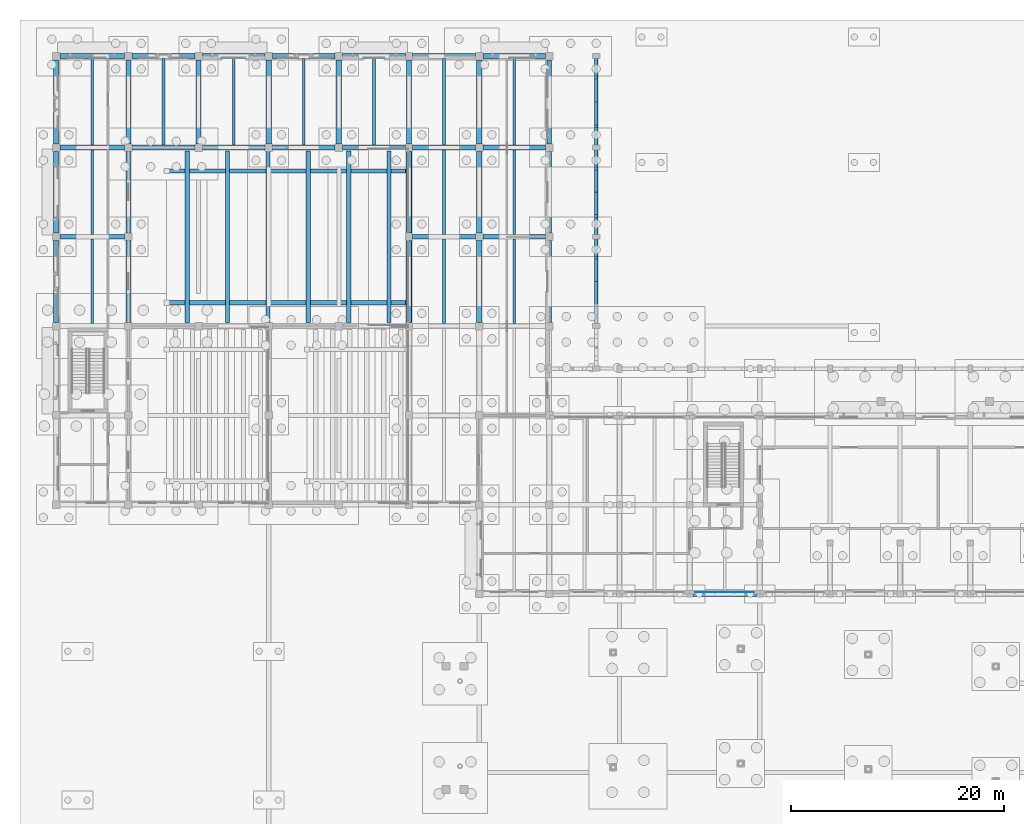
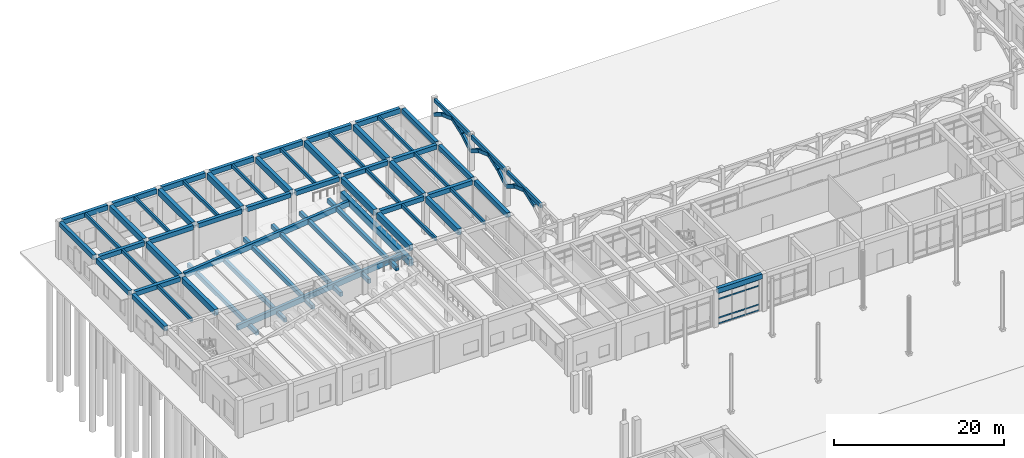
# One storey, part 28 of 82: 61 beams, 15 members, 1 element without a shape of its own.
"""IFC4 building model written with IfcOpenShell, lengths in metres."""

from ifc_helpers import new_model, si_unit, direction, frame, origin, origin_2d, place, context, subcontext, project, spatial, rectangle, extrude, material, layer, layer_set, material_profile, profile_set, type_object, element, aggregate, save


model = new_model("IFC4")

# Units and contexts
model_context = context("Model", 3, precision=1e-05, world=origin(), true_north=direction((0.0, 1.0)))
body_context = subcontext(model_context, "Body", "Model", "MODEL_VIEW")
ifc_project = project(units=[si_unit("LENGTHUNIT", "METRE"), si_unit("AREAUNIT", "SQUARE_METRE"), si_unit("VOLUMEUNIT", "CUBIC_METRE"), si_unit("PLANEANGLEUNIT", "RADIAN"), si_unit("MASSUNIT", "GRAM", prefix="KILO")], contexts=[model_context])

# Site, building, storey
site_placement = place(None, origin())
site = spatial("IfcSite", under=ifc_project, at=site_placement, CompositionType="ELEMENT")
building_placement = place(site_placement, origin())
building = spatial("IfcBuilding", under=site, at=building_placement, Name="Kolvaren Faculty of Natural Sciences", CompositionType="ELEMENT")
storey_placement = place(building_placement, origin())
storey = spatial("IfcBuildingStorey", under=building, at=storey_placement, Name="L00", CompositionType="ELEMENT", Elevation=0.0)

# Curtain wall, members
ifc_material_1 = material(Name="Thermally broken anodised aluminium framing", Category="aluminium")
ifc_layer = layer(ifc_material_1, 0.179931640625)
ifc_layer_set = layer_set([ifc_layer], Name="Thermally broken anodised aluminium framing")
curtain_wall_type = type_object("IfcCurtainWallType", Name="AtriumCurtainWall_CW01", PredefinedType="NOTDEFINED", material=ifc_layer_set)
curtain_wall_placement = place(storey_placement, origin())
curtain_wall = element("IfcCurtainWall", 1, at=curtain_wall_placement, inside=storey, type_object=curtain_wall_type, Name="L00 unitised curtain wall CW-01 (CW-L00-005)", PredefinedType="NOTDEFINED")
ifc_material_profile_1 = material_profile(ifc_material_1, rectangle(XDim=0.06005859375, YDim=0.139892578125, at=origin_2d()), Name="ALU TRN 60x140")
ifc_profile_set_1 = profile_set([ifc_material_profile_1], Name="Thermally broken anodised aluminium framing")
member_type_1 = type_object("IfcMemberType", Name="CurtainTransom_60x140", PredefinedType="USERDEFINED", material=ifc_profile_set_1)
member_1_placement = place(storey_placement, frame((65.64990234375, 67.570068359375, 0.080078125), z_axis=(-1.0, 0.0, 0.0), x_axis=(0.0, -1.0, 0.0)))
member_1 = element("IfcMember", 2, at=member_1_placement, type_object=member_type_1, Name="CW-L00-005 horizontal transom 1", ObjectType="TRANSOM", PredefinedType="USERDEFINED", context=body_context, shape_type="SweptSolid", body=[
    extrude(rectangle(XDim=0.06005859375, YDim=0.139892578125, at=origin_2d()), origin(), (0.0, 0.0, 1.0), 5.5),
])
member_2_placement = place(storey_placement, frame((65.64990234375, 67.570068359375, 0.89990234375), z_axis=(-1.0, 0.0, 0.0), x_axis=(0.0, -1.0, 0.0)))
member_2 = element("IfcMember", 3, at=member_2_placement, type_object=member_type_1, Name="CW-L00-005 horizontal transom 2", ObjectType="TRANSOM", PredefinedType="USERDEFINED", context=body_context, shape_type="SweptSolid", body=[
    extrude(rectangle(XDim=0.06005859375, YDim=0.139892578125, at=origin_2d()), origin(), (0.0, 0.0, 1.0), 5.5),
])
member_3_placement = place(storey_placement, frame((65.64990234375, 67.570068359375, 3.5849609375), z_axis=(-1.0, 0.0, 0.0), x_axis=(0.0, -1.0, 0.0)))
member_3 = element("IfcMember", 4, at=member_3_placement, type_object=member_type_1, Name="CW-L00-005 horizontal transom 3", ObjectType="TRANSOM", PredefinedType="USERDEFINED", context=body_context, shape_type="SweptSolid", body=[
    extrude(rectangle(XDim=0.06005859375, YDim=0.139892578125, at=origin_2d()), origin(), (0.0, 0.0, 1.0), 5.5),
])
member_4_placement = place(storey_placement, frame((65.64990234375, 67.570068359375, 4.455078125), z_axis=(-1.0, 0.0, 0.0), x_axis=(0.0, -1.0, 0.0)))
member_4 = element("IfcMember", 5, at=member_4_placement, type_object=member_type_1, Name="CW-L00-005 horizontal transom 4", ObjectType="TRANSOM", PredefinedType="USERDEFINED", context=body_context, shape_type="SweptSolid", body=[
    extrude(rectangle(XDim=0.06005859375, YDim=0.139892578125, at=origin_2d()), origin(), (0.0, 0.0, 1.0), 5.5),
])
aggregate(curtain_wall, [member_1, member_2, member_3, member_4])

# Beams
ifc_material_2 = material(Name="Concrete C35/45", Category="concrete")
ifc_material_profile_2 = material_profile(ifc_material_2, rectangle(XDim=0.39990234375, YDim=0.60009765625, at=origin_2d()), Name="RC BM 400x600")
ifc_profile_set_2 = profile_set([ifc_material_profile_2], Name="Concrete C35/45")
beam_type_1 = type_object("IfcBeamType", Name="GridBeam_400x600", PredefinedType="BEAM", material=ifc_profile_set_2)
for number, where, z_axis, x_axis, name in (
    (6, (12.324951171875, 92.919921875, 0.090087890625), (0.0, 1.0, 0.0), (-1.0, 0.0, 0.0), "Lecture theatre LT-1 tier 1 transverse support beam"),
    (7, (16.125, 92.919921875, 0.60009765625), (0.0, 1.0, 0.0), (-1.0, 0.0, 0.0), "Lecture theatre LT-1 tier 2 transverse support beam"),
    (8, (19.925048828125, 92.919921875, 1.1298828125), (0.0, 1.0, 0.0), (-1.0, 0.0, 0.0), "Lecture theatre LT-1 tier 3 transverse support beam"),
    (9, (23.72509765625, 92.919921875, 1.639892578125), (0.0, 1.0, 0.0), (-1.0, 0.0, 0.0), "Lecture theatre LT-1 tier 4 transverse support beam"),
    (10, (27.52490234375, 92.919921875, 2.169921875), (0.0, 1.0, 0.0), (-1.0, 0.0, 0.0), "Lecture theatre LT-1 tier 5 transverse support beam"),
    (11, (31.324951171875, 92.919921875, 2.679931640625), (0.0, 1.0, 0.0), (-1.0, 0.0, 0.0), "Lecture theatre LT-1 tier 6 transverse support beam"),
):
    element("IfcBeam", number, at=place(storey_placement, frame(where, z_axis=z_axis, x_axis=x_axis)), inside=storey, type_object=beam_type_1, Name=name, PredefinedType="BEAM", context=body_context, shape_type="SweptSolid", body=[
        extrude(rectangle(XDim=0.39990234375, YDim=0.60009765625, at=origin_2d()), origin(), (0.0, 0.0, 1.0), 16.16015625),
    ])
ifc_material_profile_3 = material_profile(ifc_material_2, rectangle(XDim=0.449951171875, YDim=0.64990234375, at=origin_2d()), Name="RC BM 450x650")
ifc_profile_set_3 = profile_set([ifc_material_profile_3], Name="Concrete C35/45")
beam_type_2 = type_object("IfcBeamType", Name="GridBeam_450x650", PredefinedType="BEAM", material=ifc_profile_set_3)
beam_1_placement = place(storey_placement, frame((0.35009765625, 101.0, 5.074951171875), z_axis=(1.0, 0.0, 0.0), x_axis=(0.0, 1.0, 0.0)))
element("IfcBeam", 12, at=beam_1_placement, inside=storey, type_object=beam_type_2, Name="L00 beam BM-65 on grid N", PredefinedType="BEAM", context=body_context, shape_type="SweptSolid", body=[
    extrude(rectangle(XDim=0.449951171875, YDim=0.64990234375, at=origin_2d()), origin(), (0.0, 0.0, 1.0), 6.099853515625),
])
beam_2_placement = place(storey_placement, frame((33.550048828125, 101.0, 5.074951171875), z_axis=(1.0, 0.0, 0.0), x_axis=(0.0, 1.0, 0.0)))
element("IfcBeam", 13, at=beam_2_placement, inside=storey, type_object=beam_type_2, Name="L00 beam BM-65 on grid N", PredefinedType="BEAM", context=body_context, shape_type="SweptSolid", body=[
    extrude(rectangle(XDim=0.449951171875, YDim=0.64990234375, at=origin_2d()), origin(), (0.0, 0.0, 1.0), 5.89990234375),
])
beam_3_placement = place(storey_placement, frame((40.14990234375, 101.0, 5.074951171875), z_axis=(1.0, 0.0, 0.0), x_axis=(0.0, 1.0, 0.0)))
element("IfcBeam", 14, at=beam_3_placement, inside=storey, type_object=beam_type_2, Name="L00 beam BM-65 on grid N", PredefinedType="BEAM", context=body_context, shape_type="SweptSolid", body=[
    extrude(rectangle(XDim=0.449951171875, YDim=0.64990234375, at=origin_2d()), origin(), (0.0, 0.0, 1.0), 5.900146484375),
])
beam_4_placement = place(storey_placement, frame((0.35009765625, 109.39990234375, 5.074951171875), z_axis=(1.0, 0.0, 0.0), x_axis=(0.0, 1.0, 0.0)))
element("IfcBeam", 15, at=beam_4_placement, inside=storey, type_object=beam_type_2, Name="L00 beam BM-65 on grid P", PredefinedType="BEAM", context=body_context, shape_type="SweptSolid", body=[
    extrude(rectangle(XDim=0.449951171875, YDim=0.64990234375, at=origin_2d()), origin(), (0.0, 0.0, 1.0), 6.099853515625),
])
beam_5_placement = place(storey_placement, frame((7.14990234375, 109.39990234375, 5.074951171875), z_axis=(1.0, 0.0, 0.0), x_axis=(0.0, 1.0, 0.0)))
element("IfcBeam", 16, at=beam_5_placement, inside=storey, type_object=beam_type_2, Name="L00 beam BM-65 on grid P", PredefinedType="BEAM", context=body_context, shape_type="SweptSolid", body=[
    extrude(rectangle(XDim=0.449951171875, YDim=0.64990234375, at=origin_2d()), origin(), (0.0, 0.0, 1.0), 5.900146484375),
])
for number, where, z_axis, x_axis, name in (
    (17, (13.75, 109.39990234375, 5.074951171875), (1.0, 0.0, 0.0), (0.0, 1.0, 0.0), "L00 beam BM-65 on grid P"),
    (18, (20.35009765625, 109.39990234375, 5.074951171875), (1.0, 0.0, 0.0), (0.0, 1.0, 0.0), "L00 beam BM-65 on grid P"),
):
    element("IfcBeam", number, at=place(storey_placement, frame(where, z_axis=z_axis, x_axis=x_axis)), inside=storey, type_object=beam_type_2, Name=name, PredefinedType="BEAM", context=body_context, shape_type="SweptSolid", body=[
        extrude(rectangle(XDim=0.449951171875, YDim=0.64990234375, at=origin_2d()), origin(), (0.0, 0.0, 1.0), 5.89990234375),
    ])
beam_6_placement = place(storey_placement, frame((26.949951171875, 109.39990234375, 5.074951171875), z_axis=(1.0, 0.0, 0.0), x_axis=(0.0, 1.0, 0.0)))
element("IfcBeam", 19, at=beam_6_placement, inside=storey, type_object=beam_type_2, Name="L00 beam BM-65 on grid P", PredefinedType="BEAM", context=body_context, shape_type="SweptSolid", body=[
    extrude(rectangle(XDim=0.449951171875, YDim=0.64990234375, at=origin_2d()), origin(), (0.0, 0.0, 1.0), 5.900146484375),
])
beam_7_placement = place(storey_placement, frame((33.550048828125, 109.39990234375, 5.074951171875), z_axis=(1.0, 0.0, 0.0), x_axis=(0.0, 1.0, 0.0)))
element("IfcBeam", 20, at=beam_7_placement, inside=storey, type_object=beam_type_2, Name="L00 beam BM-65 on grid P", PredefinedType="BEAM", context=body_context, shape_type="SweptSolid", body=[
    extrude(rectangle(XDim=0.449951171875, YDim=0.64990234375, at=origin_2d()), origin(), (0.0, 0.0, 1.0), 5.89990234375),
])
beam_8_placement = place(storey_placement, frame((40.14990234375, 109.39990234375, 5.074951171875), z_axis=(1.0, 0.0, 0.0), x_axis=(0.0, 1.0, 0.0)))
element("IfcBeam", 21, at=beam_8_placement, inside=storey, type_object=beam_type_2, Name="L00 beam BM-65 on grid P", PredefinedType="BEAM", context=body_context, shape_type="SweptSolid", body=[
    extrude(rectangle(XDim=0.449951171875, YDim=0.64990234375, at=origin_2d()), origin(), (0.0, 0.0, 1.0), 5.900146484375),
])
ifc_material_3 = material(Name="Concrete C40/50", Category="concrete")
ifc_material_profile_4 = material_profile(ifc_material_3, rectangle(XDim=0.550048828125, YDim=0.949951171875, at=origin_2d()), Name="RC BM 550x950")
ifc_profile_set_4 = profile_set([ifc_material_profile_4], Name="Concrete C40/50")
beam_type_3 = type_object("IfcBeamType", Name="HallGirder_550x950", PredefinedType="BEAM", material=ifc_profile_set_4)
beam_9_placement = place(storey_placement, frame((33.199951171875, 92.919921875, 2.8701171875), z_axis=(0.0, 1.0, 0.0), x_axis=(-1.0, 0.0, 0.0)))
element("IfcBeam", 22, at=beam_9_placement, inside=storey, type_object=beam_type_3, Name="Lecture theatre LT-1 raker header girder", PredefinedType="BEAM", context=body_context, shape_type="SweptSolid", body=[
    extrude(rectangle(XDim=0.550048828125, YDim=0.949951171875, at=origin_2d()), origin(), (0.0, 0.0, 1.0), 16.16015625),
])
ifc_material_profile_5 = material_profile(ifc_material_2, rectangle(XDim=0.260009765625, YDim=0.5, at=origin_2d()), Name="RC JST 260x500")
ifc_profile_set_5 = profile_set([ifc_material_profile_5], Name="Concrete C35/45")
beam_type_4 = type_object("IfcBeamType", Name="LabRibJoist_260x500", PredefinedType="JOIST", material=ifc_profile_set_5)
for number, where, z_axis, x_axis, name in (
    (23, (3.39990234375, 92.824951171875, 5.14990234375), (0.0, 1.0, 0.0), (-1.0, 0.0, 0.0), "L00 ribbed laboratory slab joist JS-50"),
    (24, (3.39990234375, 101.22509765625, 5.14990234375), (0.0, 1.0, 0.0), (-1.0, 0.0, 0.0), "L00 ribbed laboratory slab joist JS-50"),
):
    element("IfcBeam", number, at=place(storey_placement, frame(where, z_axis=z_axis, x_axis=x_axis)), inside=storey, type_object=beam_type_4, Name=name, PredefinedType="JOIST", context=body_context, shape_type="SweptSolid", body=[
        extrude(rectangle(XDim=0.260009765625, YDim=0.5, at=origin_2d()), origin(), (0.0, 0.0, 1.0), 7.949951171875),
    ])
for number, where, z_axis, x_axis, name in (
    (25, (3.39990234375, 109.625, 5.14990234375), (0.0, 1.0, 0.0), (-1.0, 0.0, 0.0), "L00 ribbed laboratory slab joist JS-50"),
    (26, (10.10009765625, 109.625, 5.14990234375), (0.0, 1.0, 0.0), (-1.0, 0.0, 0.0), "L00 ribbed laboratory slab joist JS-50"),
    (27, (16.699951171875, 109.625, 5.14990234375), (0.0, 1.0, 0.0), (-1.0, 0.0, 0.0), "L00 ribbed laboratory slab joist JS-50"),
    (28, (23.300048828125, 109.625, 5.14990234375), (0.0, 1.0, 0.0), (-1.0, 0.0, 0.0), "L00 ribbed laboratory slab joist JS-50"),
    (29, (29.89990234375, 109.625, 5.14990234375), (0.0, 1.0, 0.0), (-1.0, 0.0, 0.0), "L00 ribbed laboratory slab joist JS-50"),
):
    element("IfcBeam", number, at=place(storey_placement, frame(where, z_axis=z_axis, x_axis=x_axis)), inside=storey, type_object=beam_type_4, Name=name, PredefinedType="JOIST", context=body_context, shape_type="SweptSolid", body=[
        extrude(rectangle(XDim=0.260009765625, YDim=0.5, at=origin_2d()), origin(), (0.0, 0.0, 1.0), 8.14990234375),
    ])
for number, where, z_axis, x_axis, name in (
    (30, (36.5, 92.824951171875, 5.14990234375), (0.0, 1.0, 0.0), (-1.0, 0.0, 0.0), "L00 ribbed laboratory slab joist JS-50"),
    (31, (36.5, 101.22509765625, 5.14990234375), (0.0, 1.0, 0.0), (-1.0, 0.0, 0.0), "L00 ribbed laboratory slab joist JS-50"),
):
    element("IfcBeam", number, at=place(storey_placement, frame(where, z_axis=z_axis, x_axis=x_axis)), inside=storey, type_object=beam_type_4, Name=name, PredefinedType="JOIST", context=body_context, shape_type="SweptSolid", body=[
        extrude(rectangle(XDim=0.260009765625, YDim=0.5, at=origin_2d()), origin(), (0.0, 0.0, 1.0), 7.949951171875),
    ])
beam_10_placement = place(storey_placement, frame((36.5, 109.625, 5.14990234375), z_axis=(0.0, 1.0, 0.0), x_axis=(-1.0, 0.0, 0.0)))
element("IfcBeam", 32, at=beam_10_placement, inside=storey, type_object=beam_type_4, Name="L00 ribbed laboratory slab joist JS-50", PredefinedType="JOIST", context=body_context, shape_type="SweptSolid", body=[
    extrude(rectangle(XDim=0.260009765625, YDim=0.5, at=origin_2d()), origin(), (0.0, 0.0, 1.0), 8.14990234375),
])
for number, where, z_axis, x_axis, name in (
    (33, (43.10009765625, 92.824951171875, 5.14990234375), (0.0, 1.0, 0.0), (-1.0, 0.0, 0.0), "L00 ribbed laboratory slab joist JS-50"),
    (34, (43.10009765625, 101.22509765625, 5.14990234375), (0.0, 1.0, 0.0), (-1.0, 0.0, 0.0), "L00 ribbed laboratory slab joist JS-50"),
):
    element("IfcBeam", number, at=place(storey_placement, frame(where, z_axis=z_axis, x_axis=x_axis)), inside=storey, type_object=beam_type_4, Name=name, PredefinedType="JOIST", context=body_context, shape_type="SweptSolid", body=[
        extrude(rectangle(XDim=0.260009765625, YDim=0.5, at=origin_2d()), origin(), (0.0, 0.0, 1.0), 7.949951171875),
    ])
beam_11_placement = place(storey_placement, frame((43.10009765625, 109.625, 5.14990234375), z_axis=(0.0, 1.0, 0.0), x_axis=(-1.0, 0.0, 0.0)))
element("IfcBeam", 35, at=beam_11_placement, inside=storey, type_object=beam_type_4, Name="L00 ribbed laboratory slab joist JS-50", PredefinedType="JOIST", context=body_context, shape_type="SweptSolid", body=[
    extrude(rectangle(XDim=0.260009765625, YDim=0.5, at=origin_2d()), origin(), (0.0, 0.0, 1.0), 8.14990234375),
])
ifc_material_profile_6 = material_profile(ifc_material_2, rectangle(XDim=0.39990234375, YDim=0.75, at=origin_2d()), Name="RC RK 400x750")
ifc_profile_set_6 = profile_set([ifc_material_profile_6], Name="Concrete C35/45")
beam_type_5 = type_object("IfcBeamType", Name="LectureTierRaker_400x750", PredefinedType="BEAM", material=ifc_profile_set_6)
for number, where, z_axis, x_axis, name in (
    (36, (10.64990234375, 94.800048828125, 0.35009765625), (0.993658526668, 0.0, 0.112439905636), (0.0, 1.0, 0.0), "Lecture theatre LT-1 raker beam 1"),
    (37, (10.64990234375, 107.199951171875, 0.35009765625), (0.993658526668, 0.0, 0.112439905636), (0.0, 1.0, 0.0), "Lecture theatre LT-1 raker beam 2"),
):
    element("IfcBeam", number, at=place(storey_placement, frame(where, z_axis=z_axis, x_axis=x_axis)), inside=storey, type_object=beam_type_5, Name=name, PredefinedType="BEAM", context=body_context, shape_type="SweptSolid", body=[
        extrude(rectangle(XDim=0.39990234375, YDim=0.75, at=origin_2d()), origin(), (0.0, 0.0, 1.0), 22.412109375),
    ])

# Members
ifc_material_4 = material(Name="Precast concrete C35/45", Category="concrete")
ifc_material_profile_7 = material_profile(ifc_material_4, rectangle(XDim=0.320068359375, YDim=0.47998046875, at=origin_2d()), Name="RC ARCH 320x480")
ifc_profile_set_7 = profile_set([ifc_material_profile_7], Name="Precast concrete C35/45")
member_type_2 = type_object("IfcMemberType", Name="MughalPointedArchRib_320x480", PredefinedType="CHORD", material=ifc_profile_set_7)
member_5_placement = place(storey_placement, frame((50.800048828125, 94.4287109375, 3.921142578125), z_axis=(0.0, 0.940244616745, 0.340499722), x_axis=(-1.0, 0.0, 0.0)))
element("IfcMember", 38, at=member_5_placement, inside=storey, type_object=member_type_2, Name="Pointed Mughal arch rib ARW-W-92 segment 2", PredefinedType="CHORD", context=body_context, shape_type="SweptSolid", body=[
    extrude(rectangle(XDim=0.320068359375, YDim=0.47998046875, at=origin_2d()), origin(), (0.0, 0.0, 1.0), 2.60205078125),
])
member_6_placement = place(storey_placement, frame((50.800048828125, 96.724853515625, 4.80712890625), z_axis=(0.0, 0.940233736948, -0.340529763611), x_axis=(-1.0, 0.0, 0.0)))
element("IfcMember", 39, at=member_6_placement, inside=storey, type_object=member_type_2, Name="Pointed Mughal arch rib ARW-W-92 segment 3", PredefinedType="CHORD", context=body_context, shape_type="SweptSolid", body=[
    extrude(rectangle(XDim=0.320068359375, YDim=0.47998046875, at=origin_2d()), origin(), (0.0, 0.0, 1.0), 2.601806640625),
])
for number, where, z_axis, x_axis, name in (
    (40, (50.800048828125, 99.028564453125, 3.991455078125), (0.0, 0.843565255236, -0.537026684774), (-1.0, 0.0, 0.0), "Pointed Mughal arch rib ARW-W-92 segment 4"),
    (41, (50.800048828125, 101.032470703125, 2.757080078125), (0.0, 0.843565255236, 0.537026684774), (-1.0, 0.0, 0.0), "Pointed Mughal arch rib ARW-W-101 segment 1"),
):
    element("IfcMember", number, at=place(storey_placement, frame(where, z_axis=z_axis, x_axis=x_axis)), inside=storey, type_object=member_type_2, Name=name, PredefinedType="CHORD", context=body_context, shape_type="SweptSolid", body=[
        extrude(rectangle(XDim=0.320068359375, YDim=0.47998046875, at=origin_2d()), origin(), (0.0, 0.0, 1.0), 2.298583984375),
    ])
member_7_placement = place(storey_placement, frame((50.800048828125, 102.828857421875, 3.921142578125), z_axis=(0.0, 0.940233736948, 0.340529763611), x_axis=(-1.0, 0.0, 0.0)))
element("IfcMember", 42, at=member_7_placement, inside=storey, type_object=member_type_2, Name="Pointed Mughal arch rib ARW-W-101 segment 2", PredefinedType="CHORD", context=body_context, shape_type="SweptSolid", body=[
    extrude(rectangle(XDim=0.320068359375, YDim=0.47998046875, at=origin_2d()), origin(), (0.0, 0.0, 1.0), 2.601806640625),
])
member_8_placement = place(storey_placement, frame((50.800048828125, 105.124755859375, 4.80712890625), z_axis=(0.0, 0.940244616745, -0.340499722), x_axis=(-1.0, 0.0, 0.0)))
element("IfcMember", 43, at=member_8_placement, inside=storey, type_object=member_type_2, Name="Pointed Mughal arch rib ARW-W-101 segment 3", PredefinedType="CHORD", context=body_context, shape_type="SweptSolid", body=[
    extrude(rectangle(XDim=0.320068359375, YDim=0.47998046875, at=origin_2d()), origin(), (0.0, 0.0, 1.0), 2.60205078125),
])
member_9_placement = place(storey_placement, frame((50.800048828125, 107.428466796875, 3.991455078125), z_axis=(0.0, 0.843565255236, -0.537026684774), x_axis=(-1.0, 0.0, 0.0)))
element("IfcMember", 44, at=member_9_placement, inside=storey, type_object=member_type_2, Name="Pointed Mughal arch rib ARW-W-101 segment 4", PredefinedType="CHORD", context=body_context, shape_type="SweptSolid", body=[
    extrude(rectangle(XDim=0.320068359375, YDim=0.47998046875, at=origin_2d()), origin(), (0.0, 0.0, 1.0), 2.298583984375),
])
member_10_placement = place(storey_placement, frame((50.800048828125, 109.43212890625, 2.7578125), z_axis=(0.0, 0.849392974575, 0.527760906797), x_axis=(-1.0, 0.0, 0.0)))
element("IfcMember", 45, at=member_10_placement, inside=storey, type_object=member_type_2, Name="Pointed Mughal arch rib ARW-W-109 segment 1", PredefinedType="CHORD", context=body_context, shape_type="SweptSolid", body=[
    extrude(rectangle(XDim=0.320068359375, YDim=0.47998046875, at=origin_2d()), origin(), (0.0, 0.0, 1.0), 2.335693359375),
])
member_11_placement = place(storey_placement, frame((50.800048828125, 111.272705078125, 3.921630859375), z_axis=(0.0, 0.942788108014, 0.333392536489), x_axis=(-1.0, 0.0, 0.0)))
element("IfcMember", 46, at=member_11_placement, inside=storey, type_object=member_type_2, Name="Pointed Mughal arch rib ARW-W-109 segment 2", PredefinedType="CHORD", context=body_context, shape_type="SweptSolid", body=[
    extrude(rectangle(XDim=0.320068359375, YDim=0.47998046875, at=origin_2d()), origin(), (0.0, 0.0, 1.0), 2.654541015625),
])
member_12_placement = place(storey_placement, frame((50.800048828125, 113.62451171875, 4.806640625), z_axis=(0.0, 0.942798329243, -0.333363630853), x_axis=(-1.0, 0.0, 0.0)))
element("IfcMember", 47, at=member_12_placement, inside=storey, type_object=member_type_2, Name="Pointed Mughal arch rib ARW-W-109 segment 3", PredefinedType="CHORD", context=body_context, shape_type="SweptSolid", body=[
    extrude(rectangle(XDim=0.320068359375, YDim=0.47998046875, at=origin_2d()), origin(), (0.0, 0.0, 1.0), 2.65478515625),
])
member_13_placement = place(storey_placement, frame((50.800048828125, 115.984130859375, 3.990478515625), z_axis=(0.0, 0.849392974575, -0.527760906797), x_axis=(-1.0, 0.0, 0.0)))
element("IfcMember", 48, at=member_13_placement, inside=storey, type_object=member_type_2, Name="Pointed Mughal arch rib ARW-W-109 segment 4", PredefinedType="CHORD", context=body_context, shape_type="SweptSolid", body=[
    extrude(rectangle(XDim=0.320068359375, YDim=0.47998046875, at=origin_2d()), origin(), (0.0, 0.0, 1.0), 2.335693359375),
])

# Beams
ifc_material_profile_8 = material_profile(ifc_material_2, rectangle(XDim=0.300048828125, YDim=0.550048828125, at=origin_2d()), Name="RC SP 300x550")
ifc_profile_set_8 = profile_set([ifc_material_profile_8], Name="Concrete C35/45")
beam_type_6 = type_object("IfcBeamType", Name="PerimeterSpandrel_300x550", PredefinedType="SPANDREL", material=ifc_profile_set_8)
for number, where, z_axis, x_axis, name in (
    (49, (50.800048828125, 92.824951171875, 4.89501953125), (0.0, 1.0, 0.0), (-1.0, 0.0, 0.0), "North square riwaq arcade arch-spandrel beam"),
    (50, (50.800048828125, 101.22509765625, 4.89501953125), (0.0, 1.0, 0.0), (-1.0, 0.0, 0.0), "North square riwaq arcade arch-spandrel beam"),
):
    element("IfcBeam", number, at=place(storey_placement, frame(where, z_axis=z_axis, x_axis=x_axis)), inside=storey, type_object=beam_type_6, Name=name, PredefinedType="SPANDREL", context=body_context, shape_type="SweptSolid", body=[
        extrude(rectangle(XDim=0.300048828125, YDim=0.550048828125, at=origin_2d()), origin(), (0.0, 0.0, 1.0), 7.949951171875),
    ])
beam_12_placement = place(storey_placement, frame((50.800048828125, 109.625, 4.89501953125), z_axis=(0.0, 1.0, 0.0), x_axis=(-1.0, 0.0, 0.0)))
element("IfcBeam", 51, at=beam_12_placement, inside=storey, type_object=beam_type_6, Name="North square riwaq arcade arch-spandrel beam", PredefinedType="SPANDREL", context=body_context, shape_type="SweptSolid", body=[
    extrude(rectangle(XDim=0.300048828125, YDim=0.550048828125, at=origin_2d()), origin(), (0.0, 0.0, 1.0), 8.14990234375),
])
ifc_material_profile_9 = material_profile(ifc_material_2, rectangle(XDim=0.449951171875, YDim=0.699951171875, at=origin_2d()), Name="RC SP 450x700")
ifc_profile_set_9 = profile_set([ifc_material_profile_9], Name="Concrete C35/45")
beam_type_7 = type_object("IfcBeamType", Name="PerimeterSpandrel_450x700", PredefinedType="SPANDREL", material=ifc_profile_set_9)
beam_13_placement = place(storey_placement, frame((59.89990234375, 67.39990234375, 5.050048828125), z_axis=(1.0, 0.0, 0.0), x_axis=(0.0, 1.0, 0.0)))
element("IfcBeam", 52, at=beam_13_placement, inside=storey, type_object=beam_type_7, Name="L00 spandrel SP-70 on grid J", PredefinedType="SPANDREL", context=body_context, shape_type="SweptSolid", body=[
    extrude(rectangle(XDim=0.449951171875, YDim=0.699951171875, at=origin_2d()), origin(), (0.0, 0.0, 1.0), 6.0),
])
beam_14_placement = place(storey_placement, frame((0.35009765625, 118.0, 5.050048828125), z_axis=(1.0, 0.0, 0.0), x_axis=(0.0, 1.0, 0.0)))
element("IfcBeam", 53, at=beam_14_placement, inside=storey, type_object=beam_type_7, Name="L00 spandrel SP-70 on grid Q", PredefinedType="SPANDREL", context=body_context, shape_type="SweptSolid", body=[
    extrude(rectangle(XDim=0.449951171875, YDim=0.699951171875, at=origin_2d()), origin(), (0.0, 0.0, 1.0), 6.099853515625),
])
beam_15_placement = place(storey_placement, frame((7.14990234375, 118.0, 5.050048828125), z_axis=(1.0, 0.0, 0.0), x_axis=(0.0, 1.0, 0.0)))
element("IfcBeam", 54, at=beam_15_placement, inside=storey, type_object=beam_type_7, Name="L00 spandrel SP-70 on grid Q", PredefinedType="SPANDREL", context=body_context, shape_type="SweptSolid", body=[
    extrude(rectangle(XDim=0.449951171875, YDim=0.699951171875, at=origin_2d()), origin(), (0.0, 0.0, 1.0), 5.900146484375),
])
for number, where, z_axis, x_axis, name in (
    (55, (13.75, 118.0, 5.050048828125), (1.0, 0.0, 0.0), (0.0, 1.0, 0.0), "L00 spandrel SP-70 on grid Q"),
    (56, (20.35009765625, 118.0, 5.050048828125), (1.0, 0.0, 0.0), (0.0, 1.0, 0.0), "L00 spandrel SP-70 on grid Q"),
):
    element("IfcBeam", number, at=place(storey_placement, frame(where, z_axis=z_axis, x_axis=x_axis)), inside=storey, type_object=beam_type_7, Name=name, PredefinedType="SPANDREL", context=body_context, shape_type="SweptSolid", body=[
        extrude(rectangle(XDim=0.449951171875, YDim=0.699951171875, at=origin_2d()), origin(), (0.0, 0.0, 1.0), 5.89990234375),
    ])
beam_16_placement = place(storey_placement, frame((26.949951171875, 118.0, 5.050048828125), z_axis=(1.0, 0.0, 0.0), x_axis=(0.0, 1.0, 0.0)))
element("IfcBeam", 57, at=beam_16_placement, inside=storey, type_object=beam_type_7, Name="L00 spandrel SP-70 on grid Q", PredefinedType="SPANDREL", context=body_context, shape_type="SweptSolid", body=[
    extrude(rectangle(XDim=0.449951171875, YDim=0.699951171875, at=origin_2d()), origin(), (0.0, 0.0, 1.0), 5.900146484375),
])
beam_17_placement = place(storey_placement, frame((33.550048828125, 118.0, 5.050048828125), z_axis=(1.0, 0.0, 0.0), x_axis=(0.0, 1.0, 0.0)))
element("IfcBeam", 58, at=beam_17_placement, inside=storey, type_object=beam_type_7, Name="L00 spandrel SP-70 on grid Q", PredefinedType="SPANDREL", context=body_context, shape_type="SweptSolid", body=[
    extrude(rectangle(XDim=0.449951171875, YDim=0.699951171875, at=origin_2d()), origin(), (0.0, 0.0, 1.0), 5.89990234375),
])
beam_18_placement = place(storey_placement, frame((40.14990234375, 118.0, 5.050048828125), z_axis=(1.0, 0.0, 0.0), x_axis=(0.0, 1.0, 0.0)))
element("IfcBeam", 59, at=beam_18_placement, inside=storey, type_object=beam_type_7, Name="L00 spandrel SP-70 on grid Q", PredefinedType="SPANDREL", context=body_context, shape_type="SweptSolid", body=[
    extrude(rectangle(XDim=0.449951171875, YDim=0.699951171875, at=origin_2d()), origin(), (0.0, 0.0, 1.0), 5.900146484375),
])
for number, where, z_axis, x_axis, name in (
    (60, (0.0, 92.949951171875, 5.050048828125), (0.0, 1.0, 0.0), (-1.0, 0.0, 0.0), "L00 girder SP-70 on grid 1"),
    (61, (0.0, 101.35009765625, 5.050048828125), (0.0, 1.0, 0.0), (-1.0, 0.0, 0.0), "L00 girder SP-70 on grid 1"),
):
    element("IfcBeam", number, at=place(storey_placement, frame(where, z_axis=z_axis, x_axis=x_axis)), inside=storey, type_object=beam_type_7, Name=name, PredefinedType="SPANDREL", context=body_context, shape_type="SweptSolid", body=[
        extrude(rectangle(XDim=0.449951171875, YDim=0.699951171875, at=origin_2d()), origin(), (0.0, 0.0, 1.0), 7.699951171875),
    ])
beam_19_placement = place(storey_placement, frame((0.0, 109.75, 5.050048828125), z_axis=(0.0, 1.0, 0.0), x_axis=(-1.0, 0.0, 0.0)))
element("IfcBeam", 62, at=beam_19_placement, inside=storey, type_object=beam_type_7, Name="L00 girder SP-70 on grid 1", PredefinedType="SPANDREL", context=body_context, shape_type="SweptSolid", body=[
    extrude(rectangle(XDim=0.449951171875, YDim=0.699951171875, at=origin_2d()), origin(), (0.0, 0.0, 1.0), 7.89990234375),
])
for number, where, z_axis, x_axis, name in (
    (63, (46.39990234375, 92.949951171875, 5.050048828125), (0.0, 1.0, 0.0), (-1.0, 0.0, 0.0), "L00 girder SP-70 on grid 8"),
    (64, (46.39990234375, 101.35009765625, 5.050048828125), (0.0, 1.0, 0.0), (-1.0, 0.0, 0.0), "L00 girder SP-70 on grid 8"),
):
    element("IfcBeam", number, at=place(storey_placement, frame(where, z_axis=z_axis, x_axis=x_axis)), inside=storey, type_object=beam_type_7, Name=name, PredefinedType="SPANDREL", context=body_context, shape_type="SweptSolid", body=[
        extrude(rectangle(XDim=0.449951171875, YDim=0.699951171875, at=origin_2d()), origin(), (0.0, 0.0, 1.0), 7.699951171875),
    ])
beam_20_placement = place(storey_placement, frame((46.39990234375, 109.75, 5.050048828125), z_axis=(0.0, 1.0, 0.0), x_axis=(-1.0, 0.0, 0.0)))
element("IfcBeam", 65, at=beam_20_placement, inside=storey, type_object=beam_type_7, Name="L00 girder SP-70 on grid 8", PredefinedType="SPANDREL", context=body_context, shape_type="SweptSolid", body=[
    extrude(rectangle(XDim=0.449951171875, YDim=0.699951171875, at=origin_2d()), origin(), (0.0, 0.0, 1.0), 7.89990234375),
])
ifc_material_profile_10 = material_profile(ifc_material_2, rectangle(XDim=0.5, YDim=0.85009765625, at=origin_2d()), Name="RC BM 500x850")
ifc_profile_set_10 = profile_set([ifc_material_profile_10], Name="Concrete C35/45")
beam_type_8 = type_object("IfcBeamType", Name="PrimaryGirder_500x850", PredefinedType="BEAM", material=ifc_profile_set_10)
for number, where, z_axis, x_axis, name in (
    (66, (6.800048828125, 92.949951171875, 4.97509765625), (0.0, 1.0, 0.0), (-1.0, 0.0, 0.0), "L00 girder BG-85 on grid 2"),
    (67, (6.800048828125, 101.35009765625, 4.97509765625), (0.0, 1.0, 0.0), (-1.0, 0.0, 0.0), "L00 girder BG-85 on grid 2"),
):
    element("IfcBeam", number, at=place(storey_placement, frame(where, z_axis=z_axis, x_axis=x_axis)), inside=storey, type_object=beam_type_8, Name=name, PredefinedType="BEAM", context=body_context, shape_type="SweptSolid", body=[
        extrude(rectangle(XDim=0.5, YDim=0.85009765625, at=origin_2d()), origin(), (0.0, 0.0, 1.0), 7.699951171875),
    ])
for number, where, z_axis, x_axis, name in (
    (68, (6.800048828125, 109.75, 4.97509765625), (0.0, 1.0, 0.0), (-1.0, 0.0, 0.0), "L00 girder BG-85 on grid 2"),
    (69, (13.39990234375, 109.75, 4.97509765625), (0.0, 1.0, 0.0), (-1.0, 0.0, 0.0), "L00 girder BG-85 on grid 3"),
    (70, (20.0, 109.75, 4.97509765625), (0.0, 1.0, 0.0), (-1.0, 0.0, 0.0), "L00 girder BG-85 on grid 4"),
    (71, (26.60009765625, 109.75, 4.97509765625), (0.0, 1.0, 0.0), (-1.0, 0.0, 0.0), "L00 girder BG-85 on grid 5"),
):
    element("IfcBeam", number, at=place(storey_placement, frame(where, z_axis=z_axis, x_axis=x_axis)), inside=storey, type_object=beam_type_8, Name=name, PredefinedType="BEAM", context=body_context, shape_type="SweptSolid", body=[
        extrude(rectangle(XDim=0.5, YDim=0.85009765625, at=origin_2d()), origin(), (0.0, 0.0, 1.0), 7.89990234375),
    ])
for number, where, z_axis, x_axis, name in (
    (72, (33.199951171875, 92.949951171875, 4.97509765625), (0.0, 1.0, 0.0), (-1.0, 0.0, 0.0), "L00 girder BG-85 on grid 6"),
    (73, (33.199951171875, 101.35009765625, 4.97509765625), (0.0, 1.0, 0.0), (-1.0, 0.0, 0.0), "L00 girder BG-85 on grid 6"),
):
    element("IfcBeam", number, at=place(storey_placement, frame(where, z_axis=z_axis, x_axis=x_axis)), inside=storey, type_object=beam_type_8, Name=name, PredefinedType="BEAM", context=body_context, shape_type="SweptSolid", body=[
        extrude(rectangle(XDim=0.5, YDim=0.85009765625, at=origin_2d()), origin(), (0.0, 0.0, 1.0), 7.699951171875),
    ])
beam_21_placement = place(storey_placement, frame((33.199951171875, 109.75, 4.97509765625), z_axis=(0.0, 1.0, 0.0), x_axis=(-1.0, 0.0, 0.0)))
element("IfcBeam", 74, at=beam_21_placement, inside=storey, type_object=beam_type_8, Name="L00 girder BG-85 on grid 6", PredefinedType="BEAM", context=body_context, shape_type="SweptSolid", body=[
    extrude(rectangle(XDim=0.5, YDim=0.85009765625, at=origin_2d()), origin(), (0.0, 0.0, 1.0), 7.89990234375),
])
for number, where, z_axis, x_axis, name in (
    (75, (39.800048828125, 92.949951171875, 4.97509765625), (0.0, 1.0, 0.0), (-1.0, 0.0, 0.0), "L00 girder BG-85 on grid 7"),
    (76, (39.800048828125, 101.35009765625, 4.97509765625), (0.0, 1.0, 0.0), (-1.0, 0.0, 0.0), "L00 girder BG-85 on grid 7"),
):
    element("IfcBeam", number, at=place(storey_placement, frame(where, z_axis=z_axis, x_axis=x_axis)), inside=storey, type_object=beam_type_8, Name=name, PredefinedType="BEAM", context=body_context, shape_type="SweptSolid", body=[
        extrude(rectangle(XDim=0.5, YDim=0.85009765625, at=origin_2d()), origin(), (0.0, 0.0, 1.0), 7.699951171875),
    ])
beam_22_placement = place(storey_placement, frame((39.800048828125, 109.75, 4.97509765625), z_axis=(0.0, 1.0, 0.0), x_axis=(-1.0, 0.0, 0.0)))
element("IfcBeam", 77, at=beam_22_placement, inside=storey, type_object=beam_type_8, Name="L00 girder BG-85 on grid 7", PredefinedType="BEAM", context=body_context, shape_type="SweptSolid", body=[
    extrude(rectangle(XDim=0.5, YDim=0.85009765625, at=origin_2d()), origin(), (0.0, 0.0, 1.0), 7.89990234375),
])

save(model, "model.ifc")
